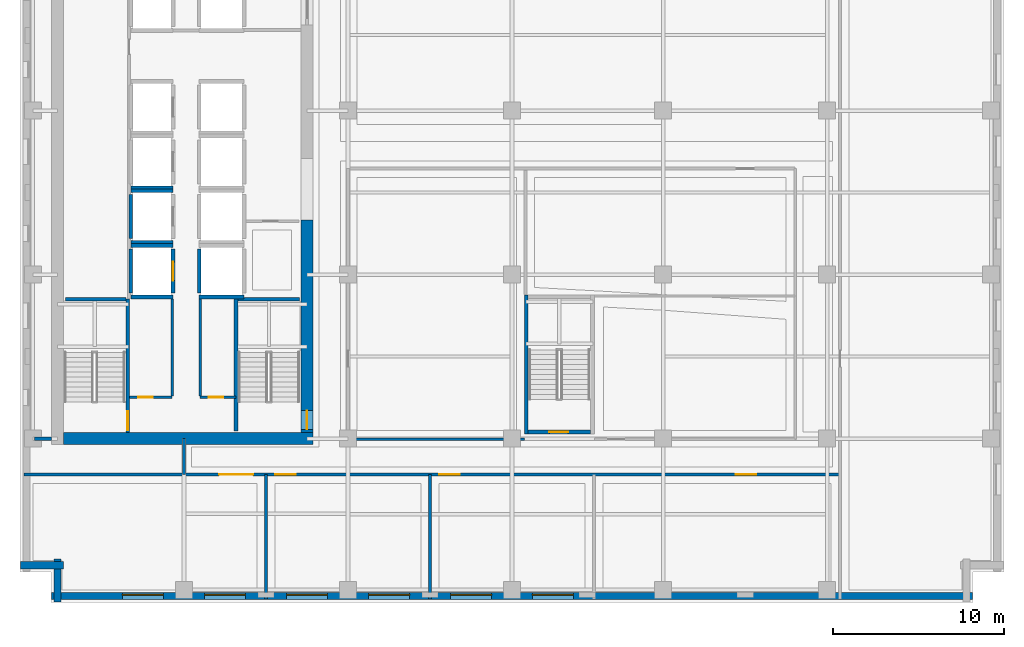
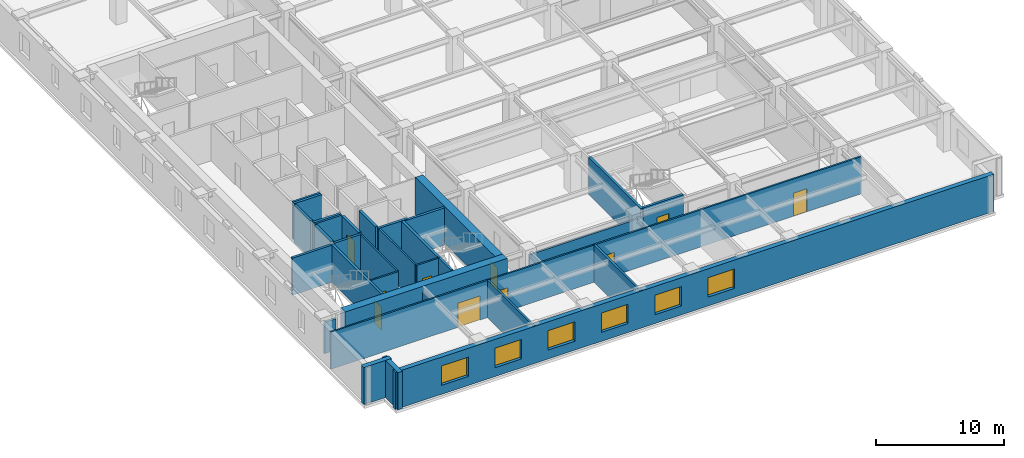
# One storey, part 3 of 11: 31 walls, 10 doors, 6 windows, 16 openings.
"""IFC4 building model written with IfcOpenShell, lengths in metres."""

from ifc_helpers import new_model, si_unit, direction, frame, frame_2d, origin, place, context, subcontext, project, spatial, rectangle, extrude, material, layer, layer_set, type_object, element, fill, save


model = new_model("IFC4")

# Units and contexts
model_context = context("Model", 3, precision=1e-05, world=origin(), true_north=direction((0.0, 1.0)))
body_context = subcontext(model_context, "Body", "Model", "MODEL_VIEW")
ifc_project = project(units=[si_unit("LENGTHUNIT", "METRE"), si_unit("AREAUNIT", "SQUARE_METRE"), si_unit("VOLUMEUNIT", "CUBIC_METRE"), si_unit("PLANEANGLEUNIT", "RADIAN"), si_unit("MASSUNIT", "GRAM", prefix="KILO")], contexts=[model_context])

# Site, building, storey
site_placement = place(None, origin())
site = spatial("IfcSite", under=ifc_project, at=site_placement, CompositionType="ELEMENT")
building_placement = place(site_placement, origin())
building = spatial("IfcBuilding", under=site, at=building_placement, Name="Norrvale University Quadrangle", CompositionType="ELEMENT")
storey_placement = place(building_placement, frame((0.0, 0.0, 124.199951171875)))
storey = spatial("IfcBuildingStorey", under=building, at=storey_placement, Name="L31", CompositionType="ELEMENT", Elevation=124.199951171875)

# Wall, openings, windows
ifc_material_1 = material(Name="Buff Norman Clay Brick Masonry", Category="masonry")
ifc_layer_1 = layer(ifc_material_1, 0.419921875, Name="Buff Norman Clay Brick Masonry")
ifc_layer_set_1 = layer_set([ifc_layer_1], Name="Buff Norman Clay Brick Masonry")
wall_type_1 = type_object("IfcWallType", Name="Wall Buff Brick 420", PredefinedType="SOLIDWALL", material=ifc_layer_set_1)
wall_1_placement = place(storey_placement, frame((1.840087890625, 0.389892578125, 0.0), z_axis=(0.0, 0.0, 1.0), x_axis=(1.0, 0.0, 0.0)))
wall_1 = element("IfcWall", 1, at=wall_1_placement, inside=storey, type_object=wall_type_1, Name="Exterior Brick Facade Wall L31-01.1", PredefinedType="SOLIDWALL", context=body_context, shape_type="SweptSolid", body=[
    extrude(rectangle(XDim=53.919921875, YDim=0.419921875, at=frame_2d((26.9599609375, 0.0))), origin(), (0.0, 0.0, 1.0), 3.5400390625),
])
opening_1_placement = place(wall_1_placement, frame((4.159912109375, 0.0, 0.85009765625)))
opening_1 = element("IfcOpeningElement", 2, at=opening_1_placement, cuts=wall_1, Name="Opening W02", PredefinedType="OPENING", context=body_context, shape_type="SweptSolid", body=[
    extrude(rectangle(XDim=2.39990234375, YDim=1.85009765625, at=frame_2d((1.199951171875, 0.925048828125))), frame((0.0, 0.221923828125, 0.0), z_axis=(0.0, -1.0, 0.0), x_axis=(1.0, 0.0, 0.0)), (0.0, 0.0, 1.0), 0.44384765625),
])
opening_2_placement = place(wall_1_placement, frame((8.9599609375, 0.0, 0.85009765625)))
opening_2 = element("IfcOpeningElement", 3, at=opening_2_placement, cuts=wall_1, Name="Opening W02", PredefinedType="OPENING", context=body_context, shape_type="SweptSolid", body=[
    extrude(rectangle(XDim=2.39990234375, YDim=1.85009765625, at=frame_2d((1.199951171875, 0.925048828125))), frame((0.0, 0.221923828125, 0.0), z_axis=(0.0, -1.0, 0.0), x_axis=(1.0, 0.0, 0.0)), (0.0, 0.0, 1.0), 0.44384765625),
])
opening_3_placement = place(wall_1_placement, frame((13.760009765625, 0.0, 0.85009765625)))
opening_3 = element("IfcOpeningElement", 4, at=opening_3_placement, cuts=wall_1, Name="Opening W02", PredefinedType="OPENING", context=body_context, shape_type="SweptSolid", body=[
    extrude(rectangle(XDim=2.39990234375, YDim=1.85009765625, at=frame_2d((1.199951171875, 0.925048828125))), frame((0.0, 0.221923828125, 0.0), z_axis=(0.0, -1.0, 0.0), x_axis=(1.0, 0.0, 0.0)), (0.0, 0.0, 1.0), 0.44384765625),
])
opening_4_placement = place(wall_1_placement, frame((18.56005859375, 0.0, 0.85009765625)))
opening_4 = element("IfcOpeningElement", 5, at=opening_4_placement, cuts=wall_1, Name="Opening W02", PredefinedType="OPENING", context=body_context, shape_type="SweptSolid", body=[
    extrude(rectangle(XDim=2.39990234375, YDim=1.85009765625, at=frame_2d((1.199951171875, 0.925048828125))), frame((0.0, 0.221923828125, 0.0), z_axis=(0.0, -1.0, 0.0), x_axis=(1.0, 0.0, 0.0)), (0.0, 0.0, 1.0), 0.44384765625),
])
opening_5_placement = place(wall_1_placement, frame((23.360107421875, 0.0, 0.85009765625)))
opening_5 = element("IfcOpeningElement", 6, at=opening_5_placement, cuts=wall_1, Name="Opening W02", PredefinedType="OPENING", context=body_context, shape_type="SweptSolid", body=[
    extrude(rectangle(XDim=2.39990234375, YDim=1.85009765625, at=frame_2d((1.199951171875, 0.925048828125))), frame((0.0, 0.221923828125, 0.0), z_axis=(0.0, -1.0, 0.0), x_axis=(1.0, 0.0, 0.0)), (0.0, 0.0, 1.0), 0.44384765625),
])
opening_6_placement = place(wall_1_placement, frame((28.159912109375, 0.0, 0.85009765625)))
opening_6 = element("IfcOpeningElement", 7, at=opening_6_placement, cuts=wall_1, Name="Opening W02", PredefinedType="OPENING", context=body_context, shape_type="SweptSolid", body=[
    extrude(rectangle(XDim=2.39990234375, YDim=1.85009765625, at=frame_2d((1.199951171875, 0.925048828125))), frame((0.0, 0.221923828125, 0.0), z_axis=(0.0, -1.0, 0.0), x_axis=(1.0, 0.0, 0.0)), (0.0, 0.0, 1.0), 0.44384765625),
])
ifc_material_2 = material(Name="Triple Low-E Argon Glazing", Category="glass")
window_type = type_object("IfcWindowType", Name="Window Academic 2400x2300", PartitioningType="TRIPLE_PANEL_VERTICAL", PredefinedType="WINDOW", material=ifc_material_2)
window_1_placement = place(opening_1_placement, origin())
window_1 = element("IfcWindow", 8, at=window_1_placement, inside=storey, type_object=window_type, Name="Window Academic 2400x2300 WIN-L31-E01-1-01", OverallHeight=1.85009765625, OverallWidth=2.39990234375, PartitioningType="TRIPLE_PANEL_VERTICAL", PredefinedType="WINDOW", context=body_context, shape_type="SweptSolid", body=[
    extrude(rectangle(XDim=2.39990234375, YDim=1.85009765625, at=frame_2d((1.199951171875, 0.925048828125))), frame((0.0, 0.110107421875, 0.0), z_axis=(0.0, -1.0, 0.0), x_axis=(1.0, 0.0, 0.0)), (0.0, 0.0, 1.0), 0.06005859375),
])
fill(opening_1, window_1)
window_2_placement = place(opening_2_placement, origin())
window_2 = element("IfcWindow", 9, at=window_2_placement, inside=storey, type_object=window_type, Name="Window Academic 2400x2300 WIN-L31-E01-1-02", OverallHeight=1.85009765625, OverallWidth=2.39990234375, PartitioningType="TRIPLE_PANEL_VERTICAL", PredefinedType="WINDOW", context=body_context, shape_type="SweptSolid", body=[
    extrude(rectangle(XDim=2.39990234375, YDim=1.85009765625, at=frame_2d((1.199951171875, 0.925048828125))), frame((0.0, 0.110107421875, 0.0), z_axis=(0.0, -1.0, 0.0), x_axis=(1.0, 0.0, 0.0)), (0.0, 0.0, 1.0), 0.06005859375),
])
fill(opening_2, window_2)
window_3_placement = place(opening_3_placement, origin())
window_3 = element("IfcWindow", 10, at=window_3_placement, inside=storey, type_object=window_type, Name="Window Academic 2400x2300 WIN-L31-E01-1-03", OverallHeight=1.85009765625, OverallWidth=2.39990234375, PartitioningType="TRIPLE_PANEL_VERTICAL", PredefinedType="WINDOW", context=body_context, shape_type="SweptSolid", body=[
    extrude(rectangle(XDim=2.39990234375, YDim=1.85009765625, at=frame_2d((1.199951171875, 0.925048828125))), frame((0.0, 0.110107421875, 0.0), z_axis=(0.0, -1.0, 0.0), x_axis=(1.0, 0.0, 0.0)), (0.0, 0.0, 1.0), 0.06005859375),
])
fill(opening_3, window_3)
window_4_placement = place(opening_4_placement, origin())
window_4 = element("IfcWindow", 11, at=window_4_placement, inside=storey, type_object=window_type, Name="Window Academic 2400x2300 WIN-L31-E01-1-04", OverallHeight=1.85009765625, OverallWidth=2.39990234375, PartitioningType="TRIPLE_PANEL_VERTICAL", PredefinedType="WINDOW", context=body_context, shape_type="SweptSolid", body=[
    extrude(rectangle(XDim=2.39990234375, YDim=1.85009765625, at=frame_2d((1.199951171875, 0.925048828125))), frame((0.0, 0.110107421875, 0.0), z_axis=(0.0, -1.0, 0.0), x_axis=(1.0, 0.0, 0.0)), (0.0, 0.0, 1.0), 0.06005859375),
])
fill(opening_4, window_4)
window_5_placement = place(opening_5_placement, origin())
window_5 = element("IfcWindow", 12, at=window_5_placement, inside=storey, type_object=window_type, Name="Window Academic 2400x2300 WIN-L31-E01-1-05", OverallHeight=1.85009765625, OverallWidth=2.39990234375, PartitioningType="TRIPLE_PANEL_VERTICAL", PredefinedType="WINDOW", context=body_context, shape_type="SweptSolid", body=[
    extrude(rectangle(XDim=2.39990234375, YDim=1.85009765625, at=frame_2d((1.199951171875, 0.925048828125))), frame((0.0, 0.110107421875, 0.0), z_axis=(0.0, -1.0, 0.0), x_axis=(1.0, 0.0, 0.0)), (0.0, 0.0, 1.0), 0.06005859375),
])
fill(opening_5, window_5)
window_6_placement = place(opening_6_placement, origin())
window_6 = element("IfcWindow", 13, at=window_6_placement, inside=storey, type_object=window_type, Name="Window Academic 2400x2300 WIN-L31-E01-1-06", OverallHeight=1.85009765625, OverallWidth=2.39990234375, PartitioningType="TRIPLE_PANEL_VERTICAL", PredefinedType="WINDOW", context=body_context, shape_type="SweptSolid", body=[
    extrude(rectangle(XDim=2.39990234375, YDim=1.85009765625, at=frame_2d((1.199951171875, 0.925048828125))), frame((0.0, 0.110107421875, 0.0), z_axis=(0.0, -1.0, 0.0), x_axis=(1.0, 0.0, 0.0)), (0.0, 0.0, 1.0), 0.06005859375),
])
fill(opening_6, window_6)

# Walls
for number, where, z_axis, x_axis, name in (
    (14, (0.0400390625, 2.18994140625, 0.0), (0.0, 0.0, 1.0), (1.0, 0.0, 0.0), "Exterior Brick Facade Wall L31-15.1"),
    (15, (2.18994140625, 2.5400390625, 0.0), (0.0, 0.0, 1.0), (0.0, -1.0, 0.0), "Exterior Brick Facade Wall L31-16.1"),
):
    element("IfcWall", number, at=place(storey_placement, frame(where, z_axis=z_axis, x_axis=x_axis)), inside=storey, type_object=wall_type_1, Name=name, PredefinedType="SOLIDWALL", context=body_context, shape_type="SweptSolid", body=[
        extrude(rectangle(XDim=2.5, YDim=0.419921875, at=frame_2d((1.25, 0.0))), origin(), (0.0, 0.0, 1.0), 3.5400390625),
    ])
ifc_material_3 = material(Name="Concrete C60/75", Category="concrete")
ifc_layer_2 = layer(ifc_material_3, 0.699951171875, Name="Concrete C60/75")
ifc_layer_set_2 = layer_set([ifc_layer_2], Name="Concrete C60/75")
wall_type_2 = type_object("IfcWallType", Name="Wall Core 700", PredefinedType="SHEAR", material=ifc_layer_set_2)
wall_2_placement = place(storey_placement, frame((2.550048828125, 9.60009765625, 0.0), z_axis=(0.0, 0.0, 1.0), x_axis=(1.0, 0.0, 0.0)))
element("IfcWall", 16, at=wall_2_placement, inside=storey, type_object=wall_type_2, Name="Tower Core Shear Wall L31-S", PredefinedType="SHEAR", context=body_context, shape_type="SweptSolid", body=[
    extrude(rectangle(XDim=14.599853515625, YDim=0.699951171875, at=frame_2d((7.2998046875, 0.0))), origin(), (0.0, 0.0, 1.0), 3.5400390625),
])

# Wall, opening, door
wall_3_placement = place(storey_placement, frame((16.800048828125, 9.949951171875, 0.0), z_axis=(0.0, 0.0, 1.0), x_axis=(0.0, 1.0, 0.0)))
wall_3 = element("IfcWall", 17, at=wall_3_placement, inside=storey, type_object=wall_type_2, Name="Tower Core Shear Wall L31-E1", PredefinedType="SHEAR", context=body_context, shape_type="SweptSolid", body=[
    extrude(rectangle(XDim=12.449951171875, YDim=0.699951171875, at=frame_2d((6.22509765625, 0.0))), origin(), (0.0, 0.0, 1.0), 3.5400390625),
])
opening_7_placement = place(wall_3_placement, frame((0.18994140625, 0.0, 0.0)))
opening_7 = element("IfcOpeningElement", 18, at=opening_7_placement, cuts=wall_3, Name="Opening D02", PredefinedType="OPENING", context=body_context, shape_type="SweptSolid", body=[
    extrude(rectangle(XDim=1.10009765625, YDim=2.199951171875, at=frame_2d((0.550048828125, 1.10009765625))), frame((0.0, 0.362060546875, 0.0), z_axis=(0.0, -1.0, 0.0), x_axis=(1.0, 0.0, 0.0)), (0.0, 0.0, 1.0), 0.723876953125),
])
ifc_material_4 = material(Name="Hollow Steel 350W Fire Door", Category="steel")
door_type_1 = type_object("IfcDoorType", Name="Door Stair Exit 1100x2200", OperationType="NOTDEFINED", PredefinedType="DOOR", material=ifc_material_4)
door_1_placement = place(opening_7_placement, origin())
door_1 = element("IfcDoor", 19, at=door_1_placement, inside=storey, type_object=door_type_1, Name="Door Stair Exit 1100x2200 DR-L31-ST03", OperationType="SINGLE_SWING_LEFT", OverallHeight=2.199951171875, OverallWidth=1.10009765625, PredefinedType="DOOR", context=body_context, shape_type="SweptSolid", body=[
    extrude(rectangle(XDim=1.10009765625, YDim=2.199951171875, at=frame_2d((0.550048828125, 1.10009765625))), frame((0.0, 0.02490234375, 0.0), z_axis=(0.0, -1.0, 0.0), x_axis=(1.0, 0.0, 0.0)), (0.0, 0.0, 1.0), 0.050048828125),
])
fill(opening_7, door_1)

ifc_material_5 = material(Name="Fire-Rated Gypsum Stud Partition")
ifc_layer_3 = layer(ifc_material_5, 0.14990234375, Name="Fire-Rated Gypsum Stud Partition")
ifc_layer_set_3 = layer_set([ifc_layer_3], Name="Fire-Rated Gypsum Stud Partition")
wall_type_3 = type_object("IfcWallType", Name="Wall Gypsum Corridor 150", PredefinedType="PARTITIONING", material=ifc_layer_set_3)
wall_4_placement = place(storey_placement, frame((6.419921875, 12.02001953125, 0.0), z_axis=(0.0, 0.0, 1.0), x_axis=(1.0, 0.0, 0.0)))
wall_4 = element("IfcWall", 20, at=wall_4_placement, inside=storey, type_object=wall_type_3, Name="Interior Partition WL-L31-SC-NL", PredefinedType="PARTITIONING", context=body_context, shape_type="SweptSolid", body=[
    extrude(rectangle(XDim=2.47998046875, YDim=0.14990234375, at=frame_2d((1.239990234375, 0.0))), origin(), (0.0, 0.0, 1.0), 3.5400390625),
])
opening_8_placement = place(wall_4_placement, frame((0.5, 0.0, 0.0)))
opening_8 = element("IfcOpeningElement", 21, at=opening_8_placement, cuts=wall_4, Name="Opening D10", PredefinedType="OPENING", context=body_context, shape_type="SweptSolid", body=[
    extrude(rectangle(XDim=0.85009765625, YDim=2.10009765625, at=frame_2d((0.425048828125, 1.050048828125))), frame((0.0, 0.0869140625, 0.0), z_axis=(0.0, -1.0, 0.0), x_axis=(1.0, 0.0, 0.0)), (0.0, 0.0, 1.0), 0.173828125),
])
ifc_material_6 = material(Name="Hollow Steel 350W Riser Fire Door", Category="steel")
door_type_2 = type_object("IfcDoorType", Name="Door Riser 850x2100", OperationType="NOTDEFINED", PredefinedType="DOOR", material=ifc_material_6)
door_2_placement = place(opening_8_placement, origin())
door_2 = element("IfcDoor", 22, at=door_2_placement, inside=storey, type_object=door_type_2, Name="Door Riser 850x2100 DR-L31-ELEC", OperationType="SINGLE_SWING_LEFT", OverallHeight=2.10009765625, OverallWidth=0.85009765625, PredefinedType="DOOR", context=body_context, shape_type="SweptSolid", body=[
    extrude(rectangle(XDim=0.85009765625, YDim=2.10009765625, at=frame_2d((0.425048828125, 1.050048828125))), frame((0.0, 0.02490234375, 0.0), z_axis=(0.0, -1.0, 0.0), x_axis=(1.0, 0.0, 0.0)), (0.0, 0.0, 1.0), 0.050048828125),
])
fill(opening_8, door_2)

wall_5_placement = place(storey_placement, frame((10.550048828125, 12.02001953125, 0.0), z_axis=(0.0, 0.0, 1.0), x_axis=(1.0, 0.0, 0.0)))
wall_5 = element("IfcWall", 23, at=wall_5_placement, inside=storey, type_object=wall_type_3, Name="Interior Partition WL-L31-SC-NR", PredefinedType="PARTITIONING", context=body_context, shape_type="SweptSolid", body=[
    extrude(rectangle(XDim=2.079833984375, YDim=0.14990234375, at=frame_2d((1.0400390625, 0.0))), origin(), (0.0, 0.0, 1.0), 3.5400390625),
])
opening_9_placement = place(wall_5_placement, frame((0.5, 0.0, 0.0)))
opening_9 = element("IfcOpeningElement", 24, at=opening_9_placement, cuts=wall_5, Name="Opening D10", PredefinedType="OPENING", context=body_context, shape_type="SweptSolid", body=[
    extrude(rectangle(XDim=0.85009765625, YDim=2.10009765625, at=frame_2d((0.425048828125, 1.050048828125))), frame((0.0, 0.0869140625, 0.0), z_axis=(0.0, -1.0, 0.0), x_axis=(1.0, 0.0, 0.0)), (0.0, 0.0, 1.0), 0.173828125),
])
door_3_placement = place(opening_9_placement, origin())
door_3 = element("IfcDoor", 25, at=door_3_placement, inside=storey, type_object=door_type_2, Name="Door Riser 850x2100 DR-L31-IDF", OperationType="SINGLE_SWING_RIGHT", OverallHeight=2.10009765625, OverallWidth=0.85009765625, PredefinedType="DOOR", context=body_context, shape_type="SweptSolid", body=[
    extrude(rectangle(XDim=0.85009765625, YDim=2.10009765625, at=frame_2d((0.425048828125, 1.050048828125))), frame((0.0, 0.02490234375, 0.0), z_axis=(0.0, -1.0, 0.0), x_axis=(1.0, 0.0, 0.0)), (0.0, 0.0, 1.0), 0.050048828125),
])
fill(opening_9, door_3)

# Walls
for number, where, z_axis, x_axis, name in (
    (26, (8.89990234375, 12.094970703125, 0.0), (0.0, 0.0, 1.0), (0.0, 1.0, 0.0), "Interior Partition WL-L31-SC-WL"),
    (27, (10.550048828125, 12.094970703125, 0.0), (0.0, 0.0, 1.0), (0.0, 1.0, 0.0), "Interior Partition WL-L31-SC-WR"),
):
    element("IfcWall", number, at=place(storey_placement, frame(where, z_axis=z_axis, x_axis=x_axis)), inside=storey, type_object=wall_type_3, Name=name, PredefinedType="PARTITIONING", context=body_context, shape_type="SweptSolid", body=[
        extrude(rectangle(XDim=5.679931640625, YDim=0.14990234375, at=frame_2d((2.83984375, 0.0))), origin(), (0.0, 0.0, 1.0), 3.5400390625),
    ])
wall_6_placement = place(storey_placement, frame((9.60009765625, 7.5, 0.0), z_axis=(0.0, 0.0, 1.0), x_axis=(0.0, 1.0, 0.0)))
element("IfcWall", 28, at=wall_6_placement, inside=storey, type_object=wall_type_3, Name="Interior Partition WL-L31-CSW-END", PredefinedType="PARTITIONING", context=body_context, shape_type="SweptSolid", body=[
    extrude(rectangle(XDim=2.10009765625, YDim=0.14990234375, at=frame_2d((1.050048828125, 0.0))), origin(), (0.0, 0.0, 1.0), 2.99609375),
])

# Wall, openings, doors
wall_7_placement = place(storey_placement, frame((0.219970703125, 7.5, 0.0), z_axis=(0.0, 0.0, 1.0), x_axis=(1.0, 0.0, 0.0)))
wall_7 = element("IfcWall", 29, at=wall_7_placement, inside=storey, type_object=wall_type_3, Name="Interior Partition WL-L31-SCW", PredefinedType="PARTITIONING", context=body_context, shape_type="SweptSolid", body=[
    extrude(rectangle(XDim=47.780029296875, YDim=0.14990234375, at=frame_2d((23.89013671875, 0.0))), origin(), (0.0, 0.0, 1.0), 3.5400390625),
])
opening_10_placement = place(wall_7_placement, frame((11.429931640625, 0.0, 0.0)))
opening_10 = element("IfcOpeningElement", 30, at=opening_10_placement, cuts=wall_7, Name="Opening D06", PredefinedType="OPENING", context=body_context, shape_type="SweptSolid", body=[
    extrude(rectangle(XDim=2.0, YDim=2.300048828125, at=frame_2d((1.0, 1.14990234375))), frame((0.0, 0.0869140625, 0.0), z_axis=(0.0, -1.0, 0.0), x_axis=(1.0, 0.0, 0.0)), (0.0, 0.0, 1.0), 0.173828125),
])
opening_11_placement = place(wall_7_placement, frame((14.72998046875, 0.0, 0.0)))
opening_11 = element("IfcOpeningElement", 31, at=opening_11_placement, cuts=wall_7, Name="Opening D05", PredefinedType="OPENING", context=body_context, shape_type="SweptSolid", body=[
    extrude(rectangle(XDim=1.199951171875, YDim=2.199951171875, at=frame_2d((0.60009765625, 1.10009765625))), frame((0.0, 0.0869140625, 0.0), z_axis=(0.0, -1.0, 0.0), x_axis=(1.0, 0.0, 0.0)), (0.0, 0.0, 1.0), 0.173828125),
])
opening_12_placement = place(wall_7_placement, frame((24.330078125, 0.0, 0.0)))
opening_12 = element("IfcOpeningElement", 32, at=opening_12_placement, cuts=wall_7, Name="Opening D05", PredefinedType="OPENING", context=body_context, shape_type="SweptSolid", body=[
    extrude(rectangle(XDim=1.199951171875, YDim=2.199951171875, at=frame_2d((0.60009765625, 1.10009765625))), frame((0.0, 0.0869140625, 0.0), z_axis=(0.0, -1.0, 0.0), x_axis=(1.0, 0.0, 0.0)), (0.0, 0.0, 1.0), 0.173828125),
])
opening_13_placement = place(wall_7_placement, frame((41.679931640625, 0.0, 0.0)))
opening_13 = element("IfcOpeningElement", 33, at=opening_13_placement, cuts=wall_7, Name="Opening D05", PredefinedType="OPENING", context=body_context, shape_type="SweptSolid", body=[
    extrude(rectangle(XDim=1.199951171875, YDim=2.199951171875, at=frame_2d((0.60009765625, 1.10009765625))), frame((0.0, 0.0869140625, 0.0), z_axis=(0.0, -1.0, 0.0), x_axis=(1.0, 0.0, 0.0)), (0.0, 0.0, 1.0), 0.173828125),
])
ifc_material_7 = material(Name="Acoustic Oak Classroom Door", Category="wood")
door_type_3 = type_object("IfcDoorType", Name="Door Classroom 1200x2200", OperationType="NOTDEFINED", PredefinedType="DOOR", material=ifc_material_7)
door_4_placement = place(opening_11_placement, origin())
door_4 = element("IfcDoor", 34, at=door_4_placement, inside=storey, type_object=door_type_3, Name="Door Classroom 1200x2200 DR-L31-S02", OperationType="SINGLE_SWING_RIGHT", OverallHeight=2.199951171875, OverallWidth=1.199951171875, PredefinedType="DOOR", context=body_context, shape_type="SweptSolid", body=[
    extrude(rectangle(XDim=1.199951171875, YDim=2.199951171875, at=frame_2d((0.60009765625, 1.10009765625))), frame((0.0, 0.02490234375, 0.0), z_axis=(0.0, -1.0, 0.0), x_axis=(1.0, 0.0, 0.0)), (0.0, 0.0, 1.0), 0.050048828125),
])
fill(opening_11, door_4)
door_5_placement = place(opening_12_placement, origin())
door_5 = element("IfcDoor", 35, at=door_5_placement, inside=storey, type_object=door_type_3, Name="Door Classroom 1200x2200 DR-L31-S03", OperationType="SINGLE_SWING_LEFT", OverallHeight=2.199951171875, OverallWidth=1.199951171875, PredefinedType="DOOR", context=body_context, shape_type="SweptSolid", body=[
    extrude(rectangle(XDim=1.199951171875, YDim=2.199951171875, at=frame_2d((0.60009765625, 1.10009765625))), frame((0.0, 0.02490234375, 0.0), z_axis=(0.0, -1.0, 0.0), x_axis=(1.0, 0.0, 0.0)), (0.0, 0.0, 1.0), 0.050048828125),
])
fill(opening_12, door_5)
door_6_placement = place(opening_13_placement, origin())
door_6 = element("IfcDoor", 36, at=door_6_placement, inside=storey, type_object=door_type_3, Name="Door Classroom 1200x2200 DR-L31-S04", OperationType="SINGLE_SWING_RIGHT", OverallHeight=2.199951171875, OverallWidth=1.199951171875, PredefinedType="DOOR", context=body_context, shape_type="SweptSolid", body=[
    extrude(rectangle(XDim=1.199951171875, YDim=2.199951171875, at=frame_2d((0.60009765625, 1.10009765625))), frame((0.0, 0.02490234375, 0.0), z_axis=(0.0, -1.0, 0.0), x_axis=(1.0, 0.0, 0.0)), (0.0, 0.0, 1.0), 0.050048828125),
])
fill(opening_13, door_6)
ifc_material_8 = material(Name="Acoustic Oak Double Door", Category="wood")
door_type_4 = type_object("IfcDoorType", Name="Door Lecture Dbl 2000x2300", OperationType="DOUBLE_SWING_LEFT", PredefinedType="DOOR", material=ifc_material_8)
door_7_placement = place(opening_10_placement, origin())
door_7 = element("IfcDoor", 37, at=door_7_placement, inside=storey, type_object=door_type_4, Name="Door Lecture Dbl 2000x2300 DR-L31-S01", OperationType="DOUBLE_SWING_LEFT", OverallHeight=2.300048828125, OverallWidth=2.0, PredefinedType="DOOR", context=body_context, shape_type="SweptSolid", body=[
    extrude(rectangle(XDim=2.0, YDim=2.300048828125, at=frame_2d((1.0, 1.14990234375))), frame((0.0, 0.02490234375, 0.0), z_axis=(0.0, -1.0, 0.0), x_axis=(1.0, 0.0, 0.0)), (0.0, 0.0, 1.0), 0.050048828125),
])
fill(opening_10, door_7)

# Walls
wall_8_placement = place(storey_placement, frame((19.280029296875, 9.550048828125, 0.0), z_axis=(0.0, 0.0, 1.0), x_axis=(1.0, 0.0, 0.0)))
element("IfcWall", 38, at=wall_8_placement, inside=storey, type_object=wall_type_3, Name="Interior Partition WL-L31-ISLS1", PredefinedType="PARTITIONING", context=body_context, shape_type="SweptSolid", body=[
    extrude(rectangle(XDim=10.244873046875, YDim=0.14990234375, at=frame_2d((5.12255859375, 0.0))), origin(), (0.0, 0.0, 1.0), 2.99609375),
])
ifc_material_9 = material(Name="Acoustic Double-Stud Gypsum Partition")
ifc_layer_4 = layer(ifc_material_9, 0.179931640625, Name="Acoustic Double-Stud Gypsum Partition")
ifc_layer_set_4 = layer_set([ifc_layer_4], Name="Acoustic Double-Stud Gypsum Partition")
wall_type_4 = type_object("IfcWallType", Name="Wall Gypsum Lecture 180", PredefinedType="PARTITIONING", material=ifc_layer_set_4)
for number, where, z_axis, x_axis, name in (
    (39, (14.39990234375, 0.219970703125, 0.0), (0.0, 0.0, 1.0), (0.0, 1.0, 0.0), "Interior Partition WL-L31-SP01"),
    (40, (24.0, 0.219970703125, 0.0), (0.0, 0.0, 1.0), (0.0, 1.0, 0.0), "Interior Partition WL-L31-SP02"),
):
    element("IfcWall", number, at=place(storey_placement, frame(where, z_axis=z_axis, x_axis=x_axis)), inside=storey, type_object=wall_type_4, Name=name, PredefinedType="PARTITIONING", context=body_context, shape_type="SweptSolid", body=[
        extrude(rectangle(XDim=7.280029296875, YDim=0.179931640625, at=frame_2d((3.64013671875, 0.0))), origin(), (0.0, 0.0, 1.0), 3.5400390625),
    ])
ifc_material_10 = material(Name="Concrete Blockwork 20 MPa Rated Wall", Category="masonry")
ifc_layer_5 = layer(ifc_material_10, 0.199951171875, Name="Concrete Blockwork 20 MPa Rated Wall")
ifc_layer_set_5 = layer_set([ifc_layer_5], Name="Concrete Blockwork 20 MPa Rated Wall")
wall_type_5 = type_object("IfcWallType", Name="Wall Lobby 200", PredefinedType="SOLIDWALL", material=ifc_layer_set_5)
wall_9_placement = place(storey_placement, frame((0.85009765625, 9.60009765625, 0.0), z_axis=(0.0, 0.0, 1.0), x_axis=(1.0, 0.0, 0.0)))
element("IfcWall", 41, at=wall_9_placement, inside=storey, type_object=wall_type_5, Name="Interior Partition WL-L31-CWRET-S", PredefinedType="SOLIDWALL", context=body_context, shape_type="SweptSolid", body=[
    extrude(rectangle(XDim=0.994873046875, YDim=0.199951171875, at=frame_2d((0.49755859375, 0.0))), origin(), (0.0, 0.0, 1.0), 2.99609375),
])

# Wall, opening, door
ifc_material_11 = material(Name="Concrete Blockwork 20 MPa Fire Shaft", Category="masonry")
ifc_layer_6 = layer(ifc_material_11, 0.219970703125, Name="Concrete Blockwork 20 MPa Fire Shaft")
ifc_layer_set_6 = layer_set([ifc_layer_6], Name="Concrete Blockwork 20 MPa Fire Shaft")
wall_type_6 = type_object("IfcWallType", Name="Wall Shaft 220", PredefinedType="SOLIDWALL", material=ifc_layer_set_6)
wall_10_placement = place(storey_placement, frame((6.31005859375, 9.949951171875, 0.0), z_axis=(0.0, 0.0, 1.0), x_axis=(0.0, 1.0, 0.0)))
wall_10 = element("IfcWall", 42, at=wall_10_placement, inside=storey, type_object=wall_type_6, Name="Stair ST-01 East Shaft Wall L31", PredefinedType="SOLIDWALL", context=body_context, shape_type="SweptSolid", body=[
    extrude(rectangle(XDim=7.81005859375, YDim=0.219970703125, at=frame_2d((3.905029296875, 0.0))), origin(), (0.0, 0.0, 1.0), 3.5400390625),
])
opening_14_placement = place(wall_10_placement, frame((0.139892578125, 0.0, 0.0)))
opening_14 = element("IfcOpeningElement", 43, at=opening_14_placement, cuts=wall_10, Name="Opening D02", PredefinedType="OPENING", context=body_context, shape_type="SweptSolid", body=[
    extrude(rectangle(XDim=1.10009765625, YDim=2.199951171875, at=frame_2d((0.550048828125, 1.10009765625))), frame((0.0, 0.1220703125, 0.0), z_axis=(0.0, -1.0, 0.0), x_axis=(1.0, 0.0, 0.0)), (0.0, 0.0, 1.0), 0.243896484375),
])
door_8_placement = place(opening_14_placement, origin())
door_8 = element("IfcDoor", 44, at=door_8_placement, inside=storey, type_object=door_type_1, Name="Door Stair Exit 1100x2200 DR-L31-ST01", OperationType="SINGLE_SWING_LEFT", OverallHeight=2.199951171875, OverallWidth=1.10009765625, PredefinedType="DOOR", context=body_context, shape_type="SweptSolid", body=[
    extrude(rectangle(XDim=1.10009765625, YDim=2.199951171875, at=frame_2d((0.550048828125, 1.10009765625))), frame((0.0, 0.02490234375, 0.0), z_axis=(0.0, -1.0, 0.0), x_axis=(1.0, 0.0, 0.0)), (0.0, 0.0, 1.0), 0.050048828125),
])
fill(opening_14, door_8)

# Walls
wall_11_placement = place(storey_placement, frame((2.64990234375, 17.760009765625, 0.0), z_axis=(0.0, 0.0, 1.0), x_axis=(1.0, 0.0, 0.0)))
element("IfcWall", 45, at=wall_11_placement, inside=storey, type_object=wall_type_6, Name="Stair ST-01 North Shaft Wall L31", PredefinedType="SOLIDWALL", context=body_context, shape_type="SweptSolid", body=[
    extrude(rectangle(XDim=3.550048828125, YDim=0.219970703125, at=frame_2d((1.77490234375, 0.0))), origin(), (0.0, 0.0, 1.0), 3.5400390625),
])
wall_12_placement = place(storey_placement, frame((12.639892578125, 10.050048828125, 0.0), z_axis=(0.0, 0.0, 1.0), x_axis=(0.0, 1.0, 0.0)))
element("IfcWall", 46, at=wall_12_placement, inside=storey, type_object=wall_type_6, Name="Stair ST-03 West Shaft Wall L31", PredefinedType="SOLIDWALL", context=body_context, shape_type="SweptSolid", body=[
    extrude(rectangle(XDim=7.7099609375, YDim=0.219970703125, at=frame_2d((3.85498046875, 0.0))), origin(), (0.0, 0.0, 1.0), 3.5400390625),
])
wall_13_placement = place(storey_placement, frame((12.75, 17.760009765625, 0.0), z_axis=(0.0, 0.0, 1.0), x_axis=(1.0, 0.0, 0.0)))
element("IfcWall", 47, at=wall_13_placement, inside=storey, type_object=wall_type_6, Name="Stair ST-03 North Shaft Wall L31", PredefinedType="SOLIDWALL", context=body_context, shape_type="SweptSolid", body=[
    extrude(rectangle(XDim=3.60009765625, YDim=0.219970703125, at=frame_2d((1.800048828125, 0.0))), origin(), (0.0, 0.0, 1.0), 3.5400390625),
])

# Wall, opening, door
wall_14_placement = place(storey_placement, frame((29.75, 9.989990234375, 0.0), z_axis=(0.0, 0.0, 1.0), x_axis=(1.0, 0.0, 0.0)))
wall_14 = element("IfcWall", 48, at=wall_14_placement, inside=storey, type_object=wall_type_6, Name="Stair ST-04 South Shaft Wall L31", PredefinedType="SOLIDWALL", context=body_context, shape_type="SweptSolid", body=[
    extrude(rectangle(XDim=3.64990234375, YDim=0.219970703125, at=frame_2d((1.824951171875, 0.0))), origin(), (0.0, 0.0, 1.0), 3.5400390625),
])
opening_15_placement = place(wall_14_placement, frame((1.239990234375, 0.0, 0.0)))
opening_15 = element("IfcOpeningElement", 49, at=opening_15_placement, cuts=wall_14, Name="Opening D02", PredefinedType="OPENING", context=body_context, shape_type="SweptSolid", body=[
    extrude(rectangle(XDim=1.10009765625, YDim=2.199951171875, at=frame_2d((0.550048828125, 1.10009765625))), frame((0.0, 0.1220703125, 0.0), z_axis=(0.0, -1.0, 0.0), x_axis=(1.0, 0.0, 0.0)), (0.0, 0.0, 1.0), 0.243896484375),
])
door_9_placement = place(opening_15_placement, origin())
door_9 = element("IfcDoor", 50, at=door_9_placement, inside=storey, type_object=door_type_1, Name="Door Stair Exit 1100x2200 DR-L31-ST04", OperationType="SINGLE_SWING_LEFT", OverallHeight=2.199951171875, OverallWidth=1.10009765625, PredefinedType="DOOR", context=body_context, shape_type="SweptSolid", body=[
    extrude(rectangle(XDim=1.10009765625, YDim=2.199951171875, at=frame_2d((0.550048828125, 1.10009765625))), frame((0.0, 0.02490234375, 0.0), z_axis=(0.0, -1.0, 0.0), x_axis=(1.0, 0.0, 0.0)), (0.0, 0.0, 1.0), 0.050048828125),
])
fill(opening_15, door_9)

# Walls
wall_15_placement = place(storey_placement, frame((29.639892578125, 9.8798828125, 0.0), z_axis=(0.0, 0.0, 1.0), x_axis=(0.0, 1.0, 0.0)))
element("IfcWall", 51, at=wall_15_placement, inside=storey, type_object=wall_type_6, Name="Stair ST-04 West Shaft Wall L31", PredefinedType="SOLIDWALL", context=body_context, shape_type="SweptSolid", body=[
    extrude(rectangle(XDim=8.14013671875, YDim=0.219970703125, at=frame_2d((4.070068359375, 0.0))), origin(), (0.0, 0.0, 1.0), 3.5400390625),
])
wall_16_placement = place(storey_placement, frame((6.489990234375, 18.110107421875, 0.0), z_axis=(0.0, 0.0, 1.0), x_axis=(0.0, 1.0, 0.0)))
element("IfcWall", 52, at=wall_16_placement, inside=storey, type_object=wall_type_6, Name="Hoistway PL-01 West Wall L31", PredefinedType="SOLIDWALL", context=body_context, shape_type="SweptSolid", body=[
    extrude(rectangle(XDim=2.579833984375, YDim=0.219970703125, at=frame_2d((1.2900390625, 0.0))), origin(), (0.0, 0.0, 1.0), 3.5400390625),
])

# Wall, opening, door
wall_17_placement = place(storey_placement, frame((8.9599609375, 18.110107421875, 0.0), z_axis=(0.0, 0.0, 1.0), x_axis=(0.0, 1.0, 0.0)))
wall_17 = element("IfcWall", 53, at=wall_17_placement, inside=storey, type_object=wall_type_6, Name="Hoistway PL-01 East Wall L31", PredefinedType="SOLIDWALL", context=body_context, shape_type="SweptSolid", body=[
    extrude(rectangle(XDim=2.579833984375, YDim=0.219970703125, at=frame_2d((1.2900390625, 0.0))), origin(), (0.0, 0.0, 1.0), 3.5400390625),
])
opening_16_placement = place(wall_17_placement, frame((0.739990234375, 0.0, 0.0)))
opening_16 = element("IfcOpeningElement", 54, at=opening_16_placement, cuts=wall_17, Name="Opening LD1", PredefinedType="OPENING", context=body_context, shape_type="SweptSolid", body=[
    extrude(rectangle(XDim=1.10009765625, YDim=2.199951171875, at=frame_2d((0.550048828125, 1.10009765625))), frame((0.0, 0.1220703125, 0.0), z_axis=(0.0, -1.0, 0.0), x_axis=(1.0, 0.0, 0.0)), (0.0, 0.0, 1.0), 0.243896484375),
])
ifc_material_12 = material(Name="Stainless Steel 316L Lift Landing Door", Category="steel")
door_type_5 = type_object("IfcDoorType", Name="Door Lift Landing 1100x2200", OperationType="DOUBLE_DOOR_SLIDING", PredefinedType="DOOR", material=ifc_material_12)
door_10_placement = place(opening_16_placement, origin())
door_10 = element("IfcDoor", 55, at=door_10_placement, inside=storey, type_object=door_type_5, Name="Elevator Landing Door DR-L31-PL-01", OperationType="DOUBLE_DOOR_SLIDING", OverallHeight=2.199951171875, OverallWidth=1.10009765625, PredefinedType="DOOR", context=body_context, shape_type="SweptSolid", body=[
    extrude(rectangle(XDim=1.10009765625, YDim=2.199951171875, at=frame_2d((0.550048828125, 1.10009765625))), frame((0.0, 0.02490234375, 0.0), z_axis=(0.0, -1.0, 0.0), x_axis=(1.0, 0.0, 0.0)), (0.0, 0.0, 1.0), 0.050048828125),
])
fill(opening_16, door_10)

# Walls
for number, where, z_axis, x_axis, name in (
    (56, (6.489990234375, 17.889892578125, 0.0), (0.0, 0.0, 1.0), (1.0, 0.0, 0.0), "Hoistway PL-01 South Wall L31"),
    (57, (6.489990234375, 20.909912109375, 0.0), (0.0, 0.0, 1.0), (1.0, 0.0, 0.0), "Hoistway PL-01 North Wall L31"),
):
    element("IfcWall", number, at=place(storey_placement, frame(where, z_axis=z_axis, x_axis=x_axis)), inside=storey, type_object=wall_type_6, Name=name, PredefinedType="SOLIDWALL", context=body_context, shape_type="SweptSolid", body=[
        extrude(rectangle(XDim=2.469970703125, YDim=0.219970703125, at=frame_2d((1.23486328125, 0.0))), origin(), (0.0, 0.0, 1.0), 3.5400390625),
    ])
wall_18_placement = place(storey_placement, frame((6.489990234375, 21.31005859375, 0.0), z_axis=(0.0, 0.0, 1.0), x_axis=(0.0, 1.0, 0.0)))
element("IfcWall", 58, at=wall_18_placement, inside=storey, type_object=wall_type_6, Name="Hoistway PL-02 West Wall L31", PredefinedType="SOLIDWALL", context=body_context, shape_type="SweptSolid", body=[
    extrude(rectangle(XDim=2.579833984375, YDim=0.219970703125, at=frame_2d((1.2900390625, 0.0))), origin(), (0.0, 0.0, 1.0), 3.5400390625),
])
for number, where, z_axis, x_axis, name in (
    (59, (6.489990234375, 21.090087890625, 0.0), (0.0, 0.0, 1.0), (1.0, 0.0, 0.0), "Hoistway PL-02 South Wall L31"),
    (60, (6.489990234375, 24.110107421875, 0.0), (0.0, 0.0, 1.0), (1.0, 0.0, 0.0), "Hoistway PL-02 North Wall L31"),
    (61, (6.489990234375, 24.2900390625, 0.0), (0.0, 0.0, 1.0), (1.0, 0.0, 0.0), "Hoistway PL-03 South Wall L31"),
):
    element("IfcWall", number, at=place(storey_placement, frame(where, z_axis=z_axis, x_axis=x_axis)), inside=storey, type_object=wall_type_6, Name=name, PredefinedType="SOLIDWALL", context=body_context, shape_type="SweptSolid", body=[
        extrude(rectangle(XDim=2.469970703125, YDim=0.219970703125, at=frame_2d((1.23486328125, 0.0))), origin(), (0.0, 0.0, 1.0), 3.5400390625),
    ])
wall_19_placement = place(storey_placement, frame((10.489990234375, 18.110107421875, 0.0), z_axis=(0.0, 0.0, 1.0), x_axis=(0.0, 1.0, 0.0)))
element("IfcWall", 62, at=wall_19_placement, inside=storey, type_object=wall_type_6, Name="Hoistway PL-05 West Wall L31", PredefinedType="SOLIDWALL", context=body_context, shape_type="SweptSolid", body=[
    extrude(rectangle(XDim=2.579833984375, YDim=0.219970703125, at=frame_2d((1.2900390625, 0.0))), origin(), (0.0, 0.0, 1.0), 3.5400390625),
])
wall_20_placement = place(storey_placement, frame((10.489990234375, 17.889892578125, 0.0), z_axis=(0.0, 0.0, 1.0), x_axis=(1.0, 0.0, 0.0)))
element("IfcWall", 63, at=wall_20_placement, inside=storey, type_object=wall_type_6, Name="Hoistway PL-05 South Wall L31", PredefinedType="SOLIDWALL", context=body_context, shape_type="SweptSolid", body=[
    extrude(rectangle(XDim=2.6201171875, YDim=0.219970703125, at=frame_2d((1.31005859375, 0.0))), origin(), (0.0, 0.0, 1.0), 3.5400390625),
])

save(model, "model.ifc")
